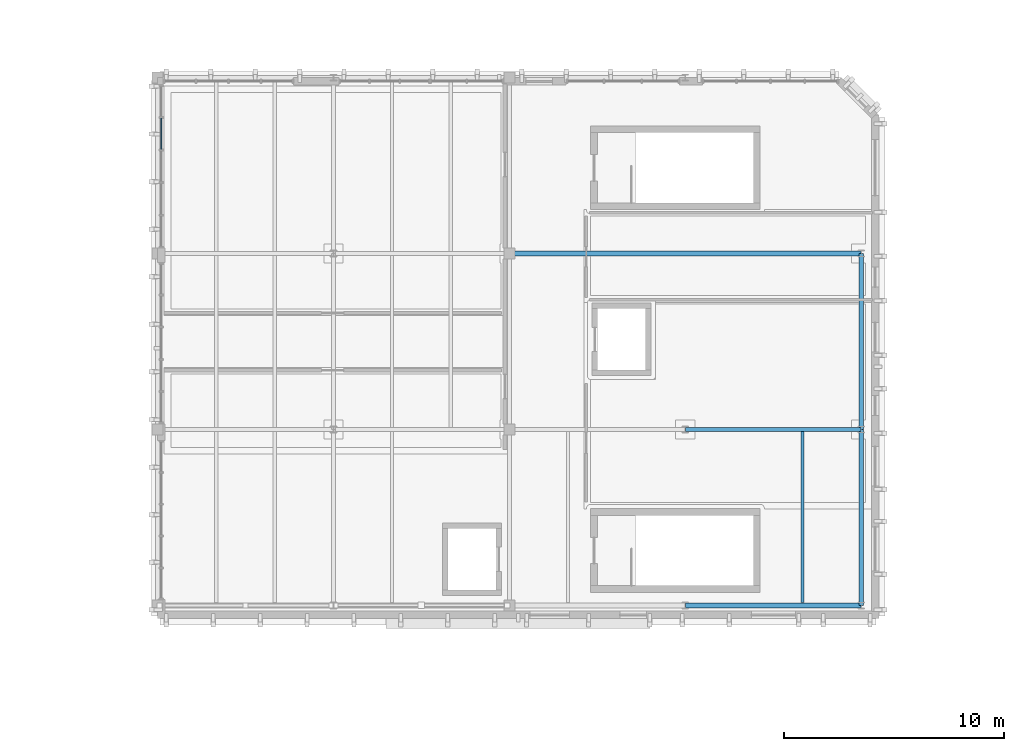
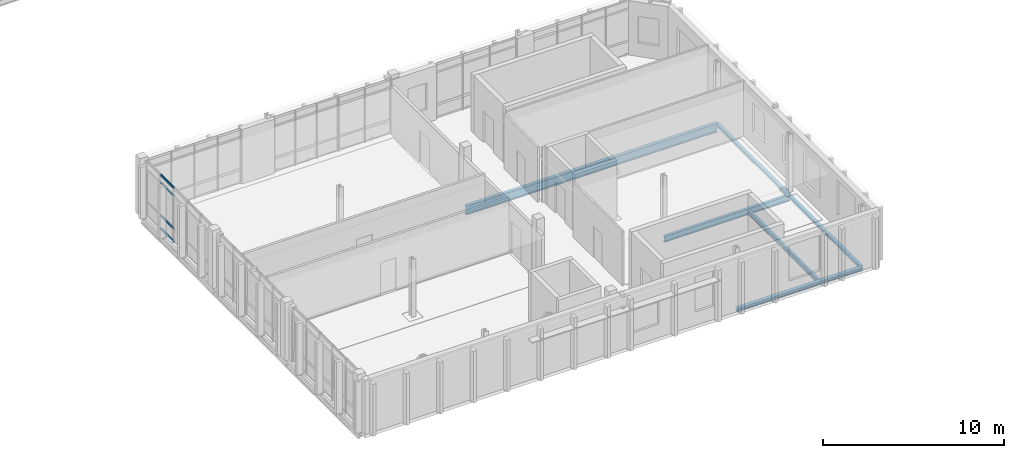
# One storey, part 5 of 28: 6 beams, 4 members, 1 element without a shape of its own.
"""IFC4 building model written with IfcOpenShell, lengths in metres."""

from ifc_helpers import new_model, si_unit, direction, frame, origin, origin_2d, place, context, subcontext, project, spatial, rectangle, i_section, extrude, material, material_profile, profile_set, type_object, element, aggregate, save


model = new_model("IFC4")

# Units and contexts
model_context = context("Model", 3, precision=1e-05, world=origin(), true_north=direction((0.0, 1.0)))
body_context = subcontext(model_context, "Body", "Model", "MODEL_VIEW")
ifc_project = project(units=[si_unit("LENGTHUNIT", "METRE"), si_unit("AREAUNIT", "SQUARE_METRE"), si_unit("VOLUMEUNIT", "CUBIC_METRE"), si_unit("PLANEANGLEUNIT", "RADIAN"), si_unit("MASSUNIT", "GRAM", prefix="KILO")], contexts=[model_context])

# Site, building, storey
site_placement = place(None, origin())
site = spatial("IfcSite", under=ifc_project, at=site_placement, CompositionType="ELEMENT")
building_placement = place(site_placement, origin())
building = spatial("IfcBuilding", under=site, at=building_placement, Name="Cymarion Research Institute", CompositionType="ELEMENT")
storey_placement = place(building_placement, frame((0.0, 0.0, 30.60009765625)))
storey = spatial("IfcBuildingStorey", under=building, at=storey_placement, Name="L07", CompositionType="ELEMENT", Elevation=30.60009765625)

# Curtain wall, members
ifc_material_1 = material(Name="Anodised aluminium unitised curtain wall with Low-E glazing", Category="aluminium")
curtain_wall_type = type_object("IfcCurtainWallType", Name="UNITISED CURTAIN WALL CW75 7420X3660", PredefinedType="NOTDEFINED", material=ifc_material_1)
curtain_wall_placement = place(storey_placement, origin())
curtain_wall = element("IfcCurtainWall", 1, at=curtain_wall_placement, inside=storey, type_object=curtain_wall_type, Name="L07 V4 unitised curtain wall CW75 #240", PredefinedType="NOTDEFINED")
ifc_material_2 = material(Name="Anodised aluminium framing", Category="aluminium")
ifc_material_profile_1 = material_profile(ifc_material_2, rectangle(XDim=0.06005859375, YDim=0.14990234375, at=origin_2d()), Name="ALU TRANSOM 60x150")
ifc_profile_set_1 = profile_set([ifc_material_profile_1], Name="Anodised aluminium framing")
member_type = type_object("IfcMemberType", Name="CURTAIN WALL TRANSOM TR01 60X150", PredefinedType="USERDEFINED", material=ifc_profile_set_1)
member_1_placement = place(storey_placement, frame((14.77001953125, 69.664306640625, 0.02978515625), z_axis=(0.0, -1.0, 0.0), x_axis=(1.0, 0.0, 0.0)))
member_1 = element("IfcMember", 2, at=member_1_placement, type_object=member_type, Name="CW75 transom 2.1", ObjectType="TRANSOM", PredefinedType="USERDEFINED", context=body_context, shape_type="SweptSolid", body=[
    extrude(rectangle(XDim=0.06005859375, YDim=0.14990234375, at=origin_2d()), origin(), (0.0, 0.0, 1.0), 1.423583984375),
])
member_2_placement = place(storey_placement, frame((14.77001953125, 69.664306640625, 0.89990234375), z_axis=(0.0, -1.0, 0.0), x_axis=(1.0, 0.0, 0.0)))
member_2 = element("IfcMember", 3, at=member_2_placement, type_object=member_type, Name="CW75 transom 2.2", ObjectType="TRANSOM", PredefinedType="USERDEFINED", context=body_context, shape_type="SweptSolid", body=[
    extrude(rectangle(XDim=0.06005859375, YDim=0.14990234375, at=origin_2d()), origin(), (0.0, 0.0, 1.0), 1.423583984375),
])
member_3_placement = place(storey_placement, frame((14.77001953125, 69.664306640625, 3.10986328125), z_axis=(0.0, -1.0, 0.0), x_axis=(1.0, 0.0, 0.0)))
member_3 = element("IfcMember", 4, at=member_3_placement, type_object=member_type, Name="CW75 transom 2.3", ObjectType="TRANSOM", PredefinedType="USERDEFINED", context=body_context, shape_type="SweptSolid", body=[
    extrude(rectangle(XDim=0.06005859375, YDim=0.14990234375, at=origin_2d()), origin(), (0.0, 0.0, 1.0), 1.423583984375),
])
member_4_placement = place(storey_placement, frame((14.77001953125, 69.664306640625, 3.6298828125), z_axis=(0.0, -1.0, 0.0), x_axis=(1.0, 0.0, 0.0)))
member_4 = element("IfcMember", 5, at=member_4_placement, type_object=member_type, Name="CW75 transom 2.4", ObjectType="TRANSOM", PredefinedType="USERDEFINED", context=body_context, shape_type="SweptSolid", body=[
    extrude(rectangle(XDim=0.06005859375, YDim=0.14990234375, at=origin_2d()), origin(), (0.0, 0.0, 1.0), 1.423583984375),
])
aggregate(curtain_wall, [member_1, member_2, member_3, member_4])

# Beams
ifc_material_3 = material(Name="Steel S355", Category="steel")
ifc_material_profile_2 = material_profile(ifc_material_3, i_section(OverallWidth=0.219970703125, OverallDepth=0.60009765625, WebThickness=0.011962890625, FlangeThickness=0.01904296875, FilletRadius=0.02392578125, at=origin_2d()), Name="IPE 600")
ifc_profile_set_2 = profile_set([ifc_material_profile_2], Name="Steel S355")
beam_type_1 = type_object("IfcBeamType", Name="PRIMARY GIRDER BM01 IPE 600", PredefinedType="BEAM", material=ifc_profile_set_2)
beam_1_placement = place(storey_placement, frame((30.60595703125, 63.5, -0.52001953125), z_axis=(1.0, 0.0, 0.0), x_axis=(0.0, 1.0, 0.0)))
element("IfcBeam", 6, at=beam_1_placement, inside=storey, type_object=beam_type_1, Name="L07 V4 girder BM01 #2233", PredefinedType="BEAM", context=body_context, shape_type="SweptSolid", body=[
    extrude(i_section(OverallWidth=0.219970703125, OverallDepth=0.60009765625, WebThickness=0.011962890625, FlangeThickness=0.01904296875, FilletRadius=0.02392578125, at=origin_2d()), origin(), (0.0, 0.0, 1.0), 15.988037109375),
])
ifc_material_profile_3 = material_profile(ifc_material_3, i_section(OverallWidth=0.179931640625, OverallDepth=0.39990234375, WebThickness=0.008544921875, FlangeThickness=0.013427734375, FilletRadius=0.02099609375, at=origin_2d()), Name="IPE 400")
ifc_profile_set_3 = profile_set([ifc_material_profile_3], Name="Steel S355")
beam_type_2 = type_object("IfcBeamType", Name="PRIMARY GIRDER BM05 IPE 400", PredefinedType="BEAM", material=ifc_profile_set_3)
beam_2_placement = place(storey_placement, frame((38.60595703125, 55.5, -0.420166015625), z_axis=(1.0, 0.0, 0.0), x_axis=(0.0, 1.0, 0.0)))
element("IfcBeam", 7, at=beam_2_placement, inside=storey, type_object=beam_type_2, Name="L07 V4 girder BM05 #2230", PredefinedType="BEAM", context=body_context, shape_type="SweptSolid", body=[
    extrude(i_section(OverallWidth=0.179931640625, OverallDepth=0.39990234375, WebThickness=0.008544921875, FlangeThickness=0.013427734375, FilletRadius=0.02099609375, at=origin_2d()), origin(), (0.0, 0.0, 1.0), 7.988037109375),
])
ifc_material_profile_4 = material_profile(ifc_material_3, i_section(OverallWidth=0.14990234375, OverallDepth=0.300048828125, WebThickness=0.007080078125, FlangeThickness=0.0107421875, FilletRadius=0.014892578125, at=origin_2d()), Name="IPE 300")
ifc_profile_set_4 = profile_set([ifc_material_profile_4], Name="Steel S355")
beam_type_3 = type_object("IfcBeamType", Name="SECONDARY JOIST JS02 IPE 300", PredefinedType="JOIST", material=ifc_profile_set_4)
beam_3_placement = place(storey_placement, frame((43.933349609375, 47.6240234375, -0.3701171875), z_axis=(0.0, 1.0, 0.0), x_axis=(-1.0, 0.0, 0.0)))
element("IfcBeam", 8, at=beam_3_placement, inside=storey, type_object=beam_type_3, Name="L07 V4 secondary joist JS02 #2252", PredefinedType="JOIST", context=body_context, shape_type="SweptSolid", body=[
    extrude(i_section(OverallWidth=0.14990234375, OverallDepth=0.300048828125, WebThickness=0.007080078125, FlangeThickness=0.0107421875, FilletRadius=0.014892578125, at=origin_2d()), origin(), (0.0, 0.0, 1.0), 7.781982421875),
])
ifc_material_profile_5 = material_profile(ifc_material_3, i_section(OverallWidth=0.239990234375, OverallDepth=0.22998046875, WebThickness=0.007568359375, FlangeThickness=0.011962890625, FilletRadius=0.02099609375, at=origin_2d()), Name="HEA 240")
ifc_profile_set_5 = profile_set([ifc_material_profile_5], Name="Steel S355")
beam_type_4 = type_object("IfcBeamType", Name="SPANDREL BEAM SPB03 HEA 240", PredefinedType="SPANDREL", material=ifc_profile_set_5)
beam_4_placement = place(storey_placement, frame((38.60595703125, 47.5, -0.335205078125), z_axis=(1.0, 0.0, 0.0), x_axis=(0.0, 1.0, 0.0)))
element("IfcBeam", 9, at=beam_4_placement, inside=storey, type_object=beam_type_4, Name="L07 V4 girder SPB03 #2226", PredefinedType="SPANDREL", context=body_context, shape_type="SweptSolid", body=[
    extrude(i_section(OverallWidth=0.239990234375, OverallDepth=0.22998046875, WebThickness=0.007568359375, FlangeThickness=0.011962890625, FilletRadius=0.02099609375, at=origin_2d()), origin(), (0.0, 0.0, 1.0), 7.988037109375),
])
ifc_material_profile_6 = material_profile(ifc_material_3, i_section(OverallWidth=0.199951171875, OverallDepth=0.18994140625, WebThickness=0.006591796875, FlangeThickness=0.010009765625, FilletRadius=0.01806640625, at=origin_2d()), Name="HEA 200")
ifc_profile_set_6 = profile_set([ifc_material_profile_6], Name="Steel S355")
beam_type_5 = type_object("IfcBeamType", Name="SPANDREL BEAM SPB04 HEA 200", PredefinedType="SPANDREL", material=ifc_profile_set_6)
for number, where, z_axis, x_axis, name in (
    (10, (46.60009765625, 47.506103515625, -0.315185546875), (0.0, 1.0, 0.0), (-1.0, 0.0, 0.0), "L07 V4 girder SPB04 #2246"),
    (11, (46.60009765625, 55.506103515625, -0.315185546875), (0.0, 1.0, 0.0), (-1.0, 0.0, 0.0), "L07 V4 girder SPB04 #2247"),
):
    element("IfcBeam", number, at=place(storey_placement, frame(where, z_axis=z_axis, x_axis=x_axis)), inside=storey, type_object=beam_type_5, Name=name, PredefinedType="SPANDREL", context=body_context, shape_type="SweptSolid", body=[
        extrude(i_section(OverallWidth=0.199951171875, OverallDepth=0.18994140625, WebThickness=0.006591796875, FlangeThickness=0.010009765625, FilletRadius=0.01806640625, at=origin_2d()), origin(), (0.0, 0.0, 1.0), 7.98779296875),
    ])

save(model, "model.ifc")
